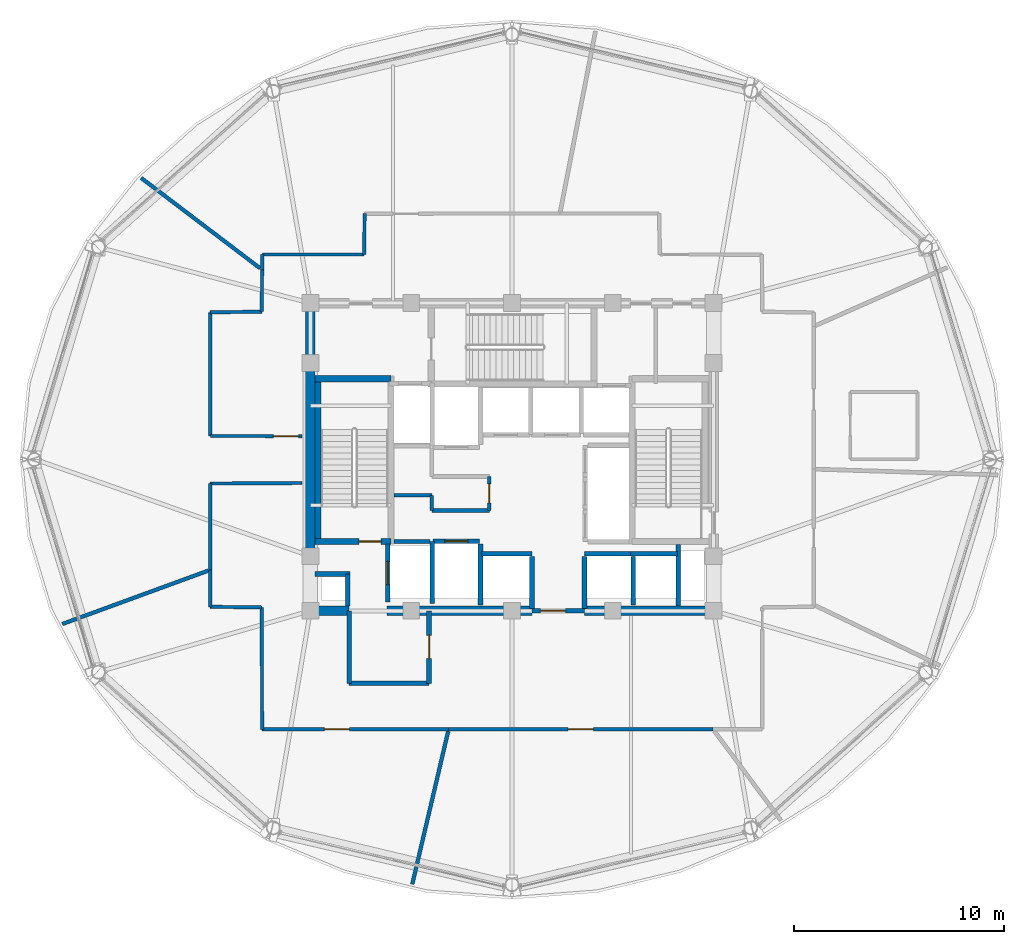
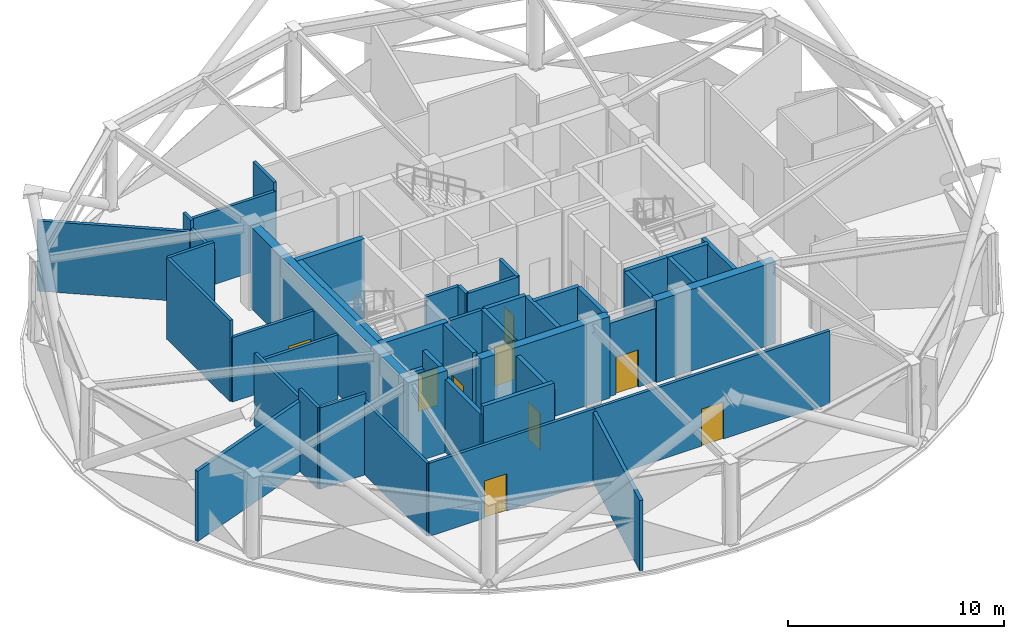
# One storey, part 10 of 16: 46 walls, 9 doors, 9 openings.
"""IFC4 building model written with IfcOpenShell, lengths in metres."""

import ifcopenshell
import ifcopenshell.guid

model = None  # the IFC model being written
_history = None  # IfcOwnerHistory: only IFC2X3 demands one
_inside = {}  # id of a spatial element -> (the spatial element, [elements in it])
_under = {}  # id of a project, library or spatial element -> (it, [spatial elements below it])
_declared = {}  # id of a project -> (the project, [libraries it declares])
_typed = {}  # id of a type object -> (the type object, [elements of that type])
_made_of = {}  # id of a material, layer set ... -> (it, [elements and type objects made of it])


def new_model(schema):
    """Start an empty IFC model of exactly this schema.

    Asked for "IFC4X3", IfcOpenShell would pick the latest addendum, in which some entities
    have other attributes; the version numbers below select the first issue.
    IFC2X3 requires an IfcOwnerHistory on every rooted entity: one is made here for all.
    """
    global model, _history
    if schema == "IFC4X3":
        model = ifcopenshell.file(schema_version=(4, 3, 0, 0))
    else:
        model = ifcopenshell.file(schema=schema)
    _inside.clear()
    _under.clear()
    _declared.clear()
    _typed.clear()
    _made_of.clear()
    _history = None
    if model.schema == "IFC2X3":
        org = make("IfcOrganization", Name="unknown")
        user = make(
            "IfcPersonAndOrganization",
            ThePerson=make("IfcPerson", FamilyName="unknown"),
            TheOrganization=org,
        )
        app = make(
            "IfcApplication",
            ApplicationDeveloper=org,
            Version="unknown",
            ApplicationFullName="unknown",
            ApplicationIdentifier="unknown",
        )
        _history = make(
            "IfcOwnerHistory",
            OwningUser=user,
            OwningApplication=app,
            ChangeAction="ADDED",
            CreationDate=0,
        )
    return model


def make(cls, **values):
    """One entity of the class cls with the attributes given. An attribute that is None is left unset."""
    return model.create_entity(
        cls, **{name: value for name, value in values.items() if value is not None}
    )


def rooted(cls, **values):
    """An entity with a GlobalId (a new one), such as an element, a storey or a relation."""
    return make(cls, GlobalId=ifcopenshell.guid.new(), OwnerHistory=_history, **values)


def si_unit(unit_type, name, prefix=None):
    """IfcSIUnit, for example si_unit("LENGTHUNIT", "METRE", prefix="MILLI")."""
    return make("IfcSIUnit", UnitType=unit_type, Prefix=prefix, Name=name)


def assignment(units):
    """IfcUnitAssignment: the units of a project."""
    return None if units is None else make("IfcUnitAssignment", Units=units)


def point(xyz):
    """IfcCartesianPoint."""
    return None if xyz is None else make("IfcCartesianPoint", Coordinates=xyz)


def direction(xyz):
    """IfcDirection."""
    return None if xyz is None else make("IfcDirection", DirectionRatios=xyz)


def frame(location, z_axis=None, x_axis=None):
    """IfcAxis2Placement3D, a coordinate frame: its origin and axes. An axis left out is left unset."""
    return make(
        "IfcAxis2Placement3D",
        Location=point(location),
        Axis=direction(z_axis),
        RefDirection=direction(x_axis),
    )


def frame_2d(location, x_axis=None):
    """IfcAxis2Placement2D, a coordinate frame in the plane: its origin and x axis."""
    return make(
        "IfcAxis2Placement2D", Location=point(location), RefDirection=direction(x_axis)
    )


def origin():
    """The frame at (0, 0, 0) with its axes left unset."""
    return frame((0.0, 0.0, 0.0))


def place(relative_to, where):
    """IfcLocalPlacement: puts the frame where relative to a parent placement (None: the world)."""
    return make(
        "IfcLocalPlacement", PlacementRelTo=relative_to, RelativePlacement=where
    )


def context(
    kind, dimensions, precision=None, world=None, true_north=None, identifier=None
):
    """IfcGeometricRepresentationContext, for example the 3D "Model" context."""
    return make(
        "IfcGeometricRepresentationContext",
        ContextIdentifier=identifier,
        ContextType=kind,
        CoordinateSpaceDimension=dimensions,
        Precision=precision,
        WorldCoordinateSystem=world,
        TrueNorth=true_north,
    )


def subcontext(parent, identifier, kind, view, scale=None):
    """IfcGeometricRepresentationSubContext, for example "Body" below "Model"."""
    return make(
        "IfcGeometricRepresentationSubContext",
        ContextIdentifier=identifier,
        ContextType=kind,
        ParentContext=parent,
        TargetScale=scale,
        TargetView=view,
    )


def project(units=None, contexts=None):
    """IfcProject with its units and contexts."""
    return rooted(
        "IfcProject",
        Name="project",
        RepresentationContexts=contexts,
        UnitsInContext=assignment(units),
    )


def spatial(cls, under=None, at=None, **own):
    """A site, building, storey or space (cls), placed at a placement, below another one or the project."""
    s = rooted(cls, ObjectPlacement=at, **own)
    if under is not None:
        _under.setdefault(under.id(), (under, []))[1].append(s)
    return s


def profile(cls, at=None, kind="AREA", **sizes):
    """A parametric profile (cls). Its sizes go by their IFC names, for example OverallWidth=200.0."""
    return make(cls, ProfileType=kind, Position=at, **sizes)


def rectangle(**sizes):
    """IfcRectangleProfileDef."""
    return profile("IfcRectangleProfileDef", **sizes)


def extrude(swept, where, along, depth):
    """IfcExtrudedAreaSolid: the profile swept, set in the frame where, extruded along a direction by depth."""
    return make(
        "IfcExtrudedAreaSolid",
        SweptArea=swept,
        Position=where,
        ExtrudedDirection=direction(along),
        Depth=depth,
    )


def shape(context_of_items, identifier, shape_type, items):
    """IfcShapeRepresentation: the items that make up one representation, for example the "Body"."""
    return make(
        "IfcShapeRepresentation",
        ContextOfItems=context_of_items,
        RepresentationIdentifier=identifier,
        RepresentationType=shape_type,
        Items=items,
    )


def material(Name=None, Category=None):
    """IfcMaterial."""
    return make("IfcMaterial", Name=Name, Category=Category)


def layer(
    of_material, thickness, ventilated=None, Name=None, Category=None, Priority=None
):
    """IfcMaterialLayer: one layer of a wall or slab, of a material (None: an air gap)."""
    return make(
        "IfcMaterialLayer",
        Material=of_material,
        LayerThickness=thickness,
        IsVentilated=ventilated,
        Name=Name,
        Category=Category,
        Priority=Priority,
    )


def layer_set(layers, Name=None):
    """IfcMaterialLayerSet."""
    return make("IfcMaterialLayerSet", MaterialLayers=layers, LayerSetName=Name)


def made_of(thing, what):
    """Note that an element or type object is made of a material, layer set ...; save() writes the relation."""
    if what is not None:
        _made_of.setdefault(what.id(), (what, []))[1].append(thing)
    return thing


def type_object(cls, material=None, **own):
    """A type object (cls), such as IfcWallType, which elements share."""
    return made_of(rooted(cls, **own), material)


def element(
    cls,
    number,
    at=None,
    inside=None,
    cuts=None,
    type_object=None,
    material=None,
    context=None,
    identifier="Body",
    shape_type=None,
    held_by="IfcProductDefinitionShape",
    body=None,
    shapes=None,
    **own,
):
    """One element of the class cls, such as IfcWall. Its Tag is "e" and its number.

    at: its placement. inside: the storey or other place that contains it. cuts: it is an
    opening in that element (IfcRelVoidsElement). A single representation is given by context,
    identifier, shape_type and body (its items); several are given by shapes. held_by: the class
    of the entity that holds the representations. save() writes the other relations.
    """
    e = rooted(cls, Tag="e%d" % number, ObjectPlacement=at, **own)
    if body is not None:
        shapes = [shape(context, identifier, shape_type, body)]
    if shapes is not None:
        e.Representation = make(held_by, Representations=shapes)
    if inside is not None:
        _inside.setdefault(inside.id(), (inside, []))[1].append(e)
    if cuts is not None:
        rooted(
            "IfcRelVoidsElement", RelatingBuildingElement=cuts, RelatedOpeningElement=e
        )
    if type_object is not None:
        _typed.setdefault(type_object.id(), (type_object, []))[1].append(e)
    return made_of(e, material)


def fill(opening, filler):
    """IfcRelFillsElement: the door or window that sits in an opening."""
    return rooted(
        "IfcRelFillsElement",
        RelatingOpeningElement=opening,
        RelatedBuildingElement=filler,
    )


def aggregate(whole, parts):
    """IfcRelAggregates: a whole, such as a stair, and the parts it consists of."""
    return rooted("IfcRelAggregates", RelatingObject=whole, RelatedObjects=parts)


def save(model, path):
    """Write the relations noted so far, then the file.

    IfcRelAggregates (storeys below a building ...), IfcRelContainedInSpatialStructure (elements
    in a storey), IfcRelDefinesByType, IfcRelAssociatesMaterial and IfcRelDeclares: one each for
    every whole, place, type object, material and project.
    """
    for whole, parts in _under.values():
        aggregate(whole, parts)
    for where, things in _inside.values():
        rooted(
            "IfcRelContainedInSpatialStructure",
            RelatedElements=things,
            RelatingStructure=where,
        )
    for kind, things in _typed.values():
        rooted("IfcRelDefinesByType", RelatedObjects=things, RelatingType=kind)
    for what, things in _made_of.values():
        rooted("IfcRelAssociatesMaterial", RelatedObjects=things, RelatingMaterial=what)
    for by, libraries in _declared.values():
        rooted("IfcRelDeclares", RelatingContext=by, RelatedDefinitions=libraries)
    model.write(path)


model = new_model("IFC4")

# Units and contexts
model_context = context("Model", 3, precision=1e-05, world=origin(), true_north=direction((0.0, 1.0)))
body_context = subcontext(model_context, "Body", "Model", "MODEL_VIEW")
ifc_project = project(units=[si_unit("LENGTHUNIT", "METRE"), si_unit("AREAUNIT", "SQUARE_METRE"), si_unit("VOLUMEUNIT", "CUBIC_METRE"), si_unit("PLANEANGLEUNIT", "RADIAN"), si_unit("MASSUNIT", "GRAM", prefix="KILO")], contexts=[model_context])

# Site, building, storey
site_placement = place(None, origin())
site = spatial("IfcSite", under=ifc_project, at=site_placement, CompositionType="ELEMENT")
building_placement = place(site_placement, origin())
building = spatial("IfcBuilding", under=site, at=building_placement, Name="Vantalir Tower", CompositionType="ELEMENT")
storey_placement = place(building_placement, frame((0.0, 0.0, 181.35009765625)))
storey = spatial("IfcBuildingStorey", under=building, at=storey_placement, Name="L45", CompositionType="ELEMENT", Elevation=181.35009765625)

# Walls
ifc_material_1 = material(Name="Concrete C50/60", Category="concrete")
ifc_layer_1 = layer(ifc_material_1, 0.449951171875)
ifc_layer_set_1 = layer_set([ifc_layer_1], Name="Concrete C50/60")
wall_type_1 = type_object("IfcWallType", Name="WL-CORE-450", PredefinedType="SHEAR", material=ifc_layer_set_1)
wall_1_placement = place(storey_placement, frame((21.675048828125, 17.800048828125, 0.0), z_axis=(0.0, 0.0, 1.0), x_axis=(1.0, 0.0, 0.0)))
element("IfcWall", 1, at=wall_1_placement, inside=storey, type_object=wall_type_1, Name="L45 Core Shear Wall South-West", PredefinedType="SHEAR", context=body_context, shape_type="SweptSolid", body=[
    extrude(rectangle(XDim=2.074951171875, YDim=0.449951171875, at=frame_2d((1.03759765625, 0.0))), origin(), (0.0, 0.0, 1.0), 4.619873046875),
])
wall_2_placement = place(storey_placement, frame((25.550048828125, 17.800048828125, 0.0), z_axis=(0.0, 0.0, 1.0), x_axis=(1.0, 0.0, 0.0)))
element("IfcWall", 2, at=wall_2_placement, inside=storey, type_object=wall_type_1, Name="L45 Core Shear Wall South-Mid", PredefinedType="SHEAR", context=body_context, shape_type="SweptSolid", body=[
    extrude(rectangle(XDim=6.89990234375, YDim=0.449951171875, at=frame_2d((3.449951171875, 0.0))), origin(), (0.0, 0.0, 1.0), 4.619873046875),
])
wall_3_placement = place(storey_placement, frame((34.949951171875, 17.800048828125, 0.0), z_axis=(0.0, 0.0, 1.0), x_axis=(1.0, 0.0, 0.0)))
element("IfcWall", 3, at=wall_3_placement, inside=storey, type_object=wall_type_1, Name="L45 Core Shear Wall South-East", PredefinedType="SHEAR", context=body_context, shape_type="SweptSolid", body=[
    extrude(rectangle(XDim=6.375, YDim=0.449951171875, at=frame_2d((3.1875, 0.0))), origin(), (0.0, 0.0, 1.0), 4.619873046875),
])
wall_4_placement = place(storey_placement, frame((21.89990234375, 18.02490234375, 0.0), z_axis=(0.0, 0.0, 1.0), x_axis=(0.0, 1.0, 0.0)))
element("IfcWall", 4, at=wall_4_placement, inside=storey, type_object=wall_type_1, Name="L45 Core Shear Wall West", PredefinedType="SHEAR", context=body_context, shape_type="SweptSolid", body=[
    extrude(rectangle(XDim=14.2001953125, YDim=0.449951171875, at=frame_2d((7.10009765625, 0.0))), origin(), (0.0, 0.0, 1.0), 4.619873046875),
])

# Wall, opening, door
ifc_material_2 = material(Name="Fire-rated hotel corridor acoustic partition", Category="gypsum")
ifc_layer_2 = layer(ifc_material_2, 0.159912109375)
ifc_layer_set_2 = layer_set([ifc_layer_2], Name="Fire-rated hotel corridor acoustic partition")
wall_type_2 = type_object("IfcWallType", Name="WL-CORR-160", PredefinedType="PARTITIONING", material=ifc_layer_set_2)
wall_5_placement = place(storey_placement, frame((21.4951171875, 26.114990234375, 0.0), z_axis=(0.0, 0.0, 1.0), x_axis=(-0.999997365931, 0.002295241113, 0.0)))
wall_5 = element("IfcWall", 5, at=wall_5_placement, inside=storey, type_object=wall_type_2, Name="L45 Corridor Partition 01", PredefinedType="PARTITIONING", context=body_context, shape_type="SweptSolid", body=[
    extrude(rectangle(XDim=4.361083984375, YDim=0.159912109375, at=frame_2d((2.1806640625, 0.0))), origin(), (0.0, 0.0, 1.0), 3.64501953125),
])
opening_1_placement = place(wall_5_placement, frame((0.159912109375, 0.0, 0.0)))
opening_1 = element("IfcOpeningElement", 6, at=opening_1_placement, cuts=wall_5, Name="Opening D-STE", PredefinedType="OPENING", context=body_context, shape_type="SweptSolid", body=[
    extrude(rectangle(XDim=1.199951171875, YDim=2.10009765625, at=frame_2d((0.60009765625, 1.050048828125))), frame((0.0, 0.08984375, 0.0), z_axis=(0.0, -1.0, 0.0), x_axis=(1.0, 0.0, 0.0)), (0.0, 0.0, 1.0), 0.179931640625),
])
ifc_material_3 = material(Name="Solid-core teak veneer suite entrance door", Category="wood")
door_type_1 = type_object("IfcDoorType", Name="DR-SUITE-ENTRY-1200", OperationType="NOTDEFINED", PredefinedType="DOOR", material=ifc_material_3)
door_1_placement = place(opening_1_placement, origin())
door_1 = element("IfcDoor", 7, at=door_1_placement, inside=storey, type_object=door_type_1, Name="L45 Commercial Sky Pantry Kitchen Door", OperationType="SINGLE_SWING_RIGHT", OverallHeight=2.10009765625, OverallWidth=1.199951171875, PredefinedType="DOOR", context=body_context, shape_type="SweptSolid", body=[
    extrude(rectangle(XDim=1.199951171875, YDim=2.10009765625, at=frame_2d((0.60009765625, 1.050048828125))), frame((0.0, 0.02490234375, 0.0), z_axis=(0.0, -1.0, 0.0), x_axis=(1.0, 0.0, 0.0)), (0.0, 0.0, 1.0), 0.050048828125),
])
fill(opening_1, door_1)

# Walls
wall_6_placement = place(storey_placement, frame((17.134033203125, 26.125, 0.0), z_axis=(0.0, 0.0, 1.0), x_axis=(-0.001202669889, 0.999999276792, 0.0)))
element("IfcWall", 8, at=wall_6_placement, inside=storey, type_object=wall_type_2, Name="L45 Corridor Partition 02", PredefinedType="PARTITIONING", context=body_context, shape_type="SweptSolid", body=[
    extrude(rectangle(XDim=5.886962890625, YDim=0.159912109375, at=frame_2d((2.943359375, 0.0))), origin(), (0.0, 0.0, 1.0), 4.599853515625),
])
wall_7_placement = place(storey_placement, frame((17.126953125, 32.011962890625, 0.0), z_axis=(0.0, 0.0, 1.0), x_axis=(0.999934771592, 0.011421583108, 0.0)))
element("IfcWall", 9, at=wall_7_placement, inside=storey, type_object=wall_type_2, Name="L45 Corridor Partition 03", PredefinedType="PARTITIONING", context=body_context, shape_type="SweptSolid", body=[
    extrude(rectangle(XDim=2.458251953125, YDim=0.159912109375, at=frame_2d((1.22900390625, 0.0))), origin(), (0.0, 0.0, 1.0), 4.599853515625),
])
wall_8_placement = place(storey_placement, frame((19.5849609375, 32.0400390625, 0.0), z_axis=(0.0, 0.0, 1.0), x_axis=(0.009056047668, 0.99995899316, 0.0)))
element("IfcWall", 10, at=wall_8_placement, inside=storey, type_object=wall_type_2, Name="L45 Corridor Partition 04", PredefinedType="PARTITIONING", context=body_context, shape_type="SweptSolid", body=[
    extrude(rectangle(XDim=1.994873046875, YDim=0.159912109375, at=frame_2d((0.99755859375, 0.0))), origin(), (0.0, 0.0, 1.0), 4.130859375),
])
wall_9_placement = place(storey_placement, frame((19.60302734375, 34.034912109375, 0.0), z_axis=(0.0, 0.0, 1.0), x_axis=(0.009737617549, 0.999952588278, 0.0)))
element("IfcWall", 11, at=wall_9_placement, inside=storey, type_object=wall_type_2, Name="L45 Corridor Partition 05", PredefinedType="PARTITIONING", context=body_context, shape_type="SweptSolid", body=[
    extrude(rectangle(XDim=0.72705078125, YDim=0.159912109375, at=frame_2d((0.363525390625, 0.0))), origin(), (0.0, 0.0, 1.0), 4.599853515625),
])
wall_10_placement = place(storey_placement, frame((19.610107421875, 34.761962890625, 0.0), z_axis=(0.0, 0.0, 1.0), x_axis=(0.999999817545, 0.000604077413, 0.0)))
element("IfcWall", 12, at=wall_10_placement, inside=storey, type_object=wall_type_2, Name="L45 Corridor Partition 06", PredefinedType="PARTITIONING", context=body_context, shape_type="SweptSolid", body=[
    extrude(rectangle(XDim=4.849853515625, YDim=0.159912109375, at=frame_2d((2.4248046875, 0.0))), origin(), (0.0, 0.0, 1.0), 4.130859375),
])
wall_11_placement = place(storey_placement, frame((24.4599609375, 34.764892578125, 0.0), z_axis=(0.0, 0.0, 1.0), x_axis=(0.012914283453, 0.999916607164, 0.0)))
element("IfcWall", 13, at=wall_11_placement, inside=storey, type_object=wall_type_2, Name="L45 Corridor Partition 07", PredefinedType="PARTITIONING", context=body_context, shape_type="SweptSolid", body=[
    extrude(rectangle(XDim=1.947265625, YDim=0.159912109375, at=frame_2d((0.9736328125, 0.0))), origin(), (0.0, 0.0, 1.0), 4.599853515625),
])

# Wall, opening, door
wall_12_placement = place(storey_placement, frame((41.06396484375, 12.1669921875, 0.0), z_axis=(0.0, 0.0, 1.0), x_axis=(-0.999999882281, -0.000485220136, 0.0)))
wall_12 = element("IfcWall", 14, at=wall_12_placement, inside=storey, type_object=wall_type_2, Name="L45 Corridor Partition 20", PredefinedType="PARTITIONING", context=body_context, shape_type="SweptSolid", body=[
    extrude(rectangle(XDim=12.578857421875, YDim=0.159912109375, at=frame_2d((6.28955078125, 0.0))), origin(), (0.0, 0.0, 1.0), 4.130859375),
])
opening_2_placement = place(wall_12_placement, frame((5.68994140625, 0.0, 0.0)))
opening_2 = element("IfcOpeningElement", 15, at=opening_2_placement, cuts=wall_12, Name="Opening D-STE", PredefinedType="OPENING", context=body_context, shape_type="SweptSolid", body=[
    extrude(rectangle(XDim=1.199951171875, YDim=2.10009765625, at=frame_2d((0.60009765625, 1.050048828125))), frame((0.0, 0.08984375, 0.0), z_axis=(0.0, -1.0, 0.0), x_axis=(1.0, 0.0, 0.0)), (0.0, 0.0, 1.0), 0.179931640625),
])
door_2_placement = place(opening_2_placement, origin())
door_2 = element("IfcDoor", 16, at=door_2_placement, inside=storey, type_object=door_type_1, Name="L45 Executive Sky Boardroom Door", OperationType="SINGLE_SWING_RIGHT", OverallHeight=2.10009765625, OverallWidth=1.199951171875, PredefinedType="DOOR", context=body_context, shape_type="SweptSolid", body=[
    extrude(rectangle(XDim=1.199951171875, YDim=2.10009765625, at=frame_2d((0.60009765625, 1.050048828125))), frame((0.0, 0.02490234375, 0.0), z_axis=(0.0, -1.0, 0.0), x_axis=(1.0, 0.0, 0.0)), (0.0, 0.0, 1.0), 0.050048828125),
])
fill(opening_2, door_2)

wall_13_placement = place(storey_placement, frame((28.485107421875, 12.160888671875, 0.0), z_axis=(0.0, 0.0, 1.0), x_axis=(-0.999999903292, -0.000439789958, 0.0)))
wall_13 = element("IfcWall", 17, at=wall_13_placement, inside=storey, type_object=wall_type_2, Name="L45 Corridor Partition 21", PredefinedType="PARTITIONING", context=body_context, shape_type="SweptSolid", body=[
    extrude(rectangle(XDim=8.882080078125, YDim=0.159912109375, at=frame_2d((4.44091796875, 0.0))), origin(), (0.0, 0.0, 1.0), 4.130859375),
])
opening_3_placement = place(wall_13_placement, frame((4.72412109375, 0.0, 0.0)))
opening_3 = element("IfcOpeningElement", 18, at=opening_3_placement, cuts=wall_13, Name="Opening D-STE", PredefinedType="OPENING", context=body_context, shape_type="SweptSolid", body=[
    extrude(rectangle(XDim=1.199951171875, YDim=2.10009765625, at=frame_2d((0.60009765625, 1.050048828125))), frame((0.0, 0.08984375, 0.0), z_axis=(0.0, -1.0, 0.0), x_axis=(1.0, 0.0, 0.0)), (0.0, 0.0, 1.0), 0.179931640625),
])
door_3_placement = place(opening_3_placement, origin())
door_3 = element("IfcDoor", 19, at=door_3_placement, inside=storey, type_object=door_type_1, Name="L45 Hotel Executive Administration Office Door", OperationType="SINGLE_SWING_LEFT", OverallHeight=2.10009765625, OverallWidth=1.199951171875, PredefinedType="DOOR", context=body_context, shape_type="SweptSolid", body=[
    extrude(rectangle(XDim=1.199951171875, YDim=2.10009765625, at=frame_2d((0.60009765625, 1.050048828125))), frame((0.0, 0.02490234375, 0.0), z_axis=(0.0, -1.0, 0.0), x_axis=(1.0, 0.0, 0.0)), (0.0, 0.0, 1.0), 0.050048828125),
])
fill(opening_3, door_3)

# Walls
wall_14_placement = place(storey_placement, frame((19.60302734375, 12.156982421875, 0.0), z_axis=(0.0, 0.0, 1.0), x_axis=(-0.003113283747, 0.99999515372, 0.0)))
element("IfcWall", 20, at=wall_14_placement, inside=storey, type_object=wall_type_2, Name="L45 Corridor Partition 22", PredefinedType="PARTITIONING", context=body_context, shape_type="SweptSolid", body=[
    extrude(rectangle(XDim=5.802978515625, YDim=0.159912109375, at=frame_2d((2.9013671875, 0.0))), origin(), (0.0, 0.0, 1.0), 4.130859375),
])
wall_15_placement = place(storey_placement, frame((19.5849609375, 17.9599609375, 0.0), z_axis=(0.0, 0.0, 1.0), x_axis=(-0.999915428104, 0.013005254277, 0.0)))
element("IfcWall", 21, at=wall_15_placement, inside=storey, type_object=wall_type_2, Name="L45 Corridor Partition 23", PredefinedType="PARTITIONING", context=body_context, shape_type="SweptSolid", body=[
    extrude(rectangle(XDim=2.459228515625, YDim=0.159912109375, at=frame_2d((1.2294921875, 0.0))), origin(), (0.0, 0.0, 1.0), 4.599853515625),
])
wall_16_placement = place(storey_placement, frame((17.1259765625, 17.991943359375, 0.0), z_axis=(0.0, 0.0, 1.0), x_axis=(0.0, 1.0, 0.0)))
element("IfcWall", 22, at=wall_16_placement, inside=storey, type_object=wall_type_2, Name="L45 Corridor Partition 24", PredefinedType="PARTITIONING", context=body_context, shape_type="SweptSolid", body=[
    extrude(rectangle(XDim=1.751953125, YDim=0.159912109375, at=frame_2d((0.8759765625, 0.0))), origin(), (0.0, 0.0, 1.0), 4.599853515625),
])
wall_17_placement = place(storey_placement, frame((17.1259765625, 19.743896484375, 0.0), z_axis=(0.0, 0.0, 1.0), x_axis=(0.0, 1.0, 0.0)))
element("IfcWall", 23, at=wall_17_placement, inside=storey, type_object=wall_type_2, Name="L45 Corridor Partition 25", PredefinedType="PARTITIONING", context=body_context, shape_type="SweptSolid", body=[
    extrude(rectangle(XDim=4.114013671875, YDim=0.159912109375, at=frame_2d((2.05712890625, 0.0))), origin(), (0.0, 0.0, 1.0), 4.130859375),
])
wall_18_placement = place(storey_placement, frame((17.1259765625, 23.85791015625, 0.0), z_axis=(0.0, 0.0, 1.0), x_axis=(0.99998212632, 0.005978882852, 0.0)))
element("IfcWall", 24, at=wall_18_placement, inside=storey, type_object=wall_type_2, Name="L45 Corridor Partition 26", PredefinedType="PARTITIONING", context=body_context, shape_type="SweptSolid", body=[
    extrude(rectangle(XDim=4.369140625, YDim=0.159912109375, at=frame_2d((2.1845703125, 0.0))), origin(), (0.0, 0.0, 1.0), 3.64501953125),
])
ifc_material_4 = material(Name="Concrete blockwork with fireboard lining", Category="masonry")
ifc_layer_3 = layer(ifc_material_4, 0.219970703125)
ifc_layer_set_3 = layer_set([ifc_layer_3], Name="Concrete blockwork with fireboard lining")
wall_type_3 = type_object("IfcWallType", Name="WL-FFL-220", PredefinedType="PARTITIONING", material=ifc_layer_set_3)
wall_19_placement = place(storey_placement, frame((30.0, 18.080078125, 0.0), z_axis=(0.0, 0.0, 1.0), x_axis=(0.0, 1.0, 0.0)))
element("IfcWall", 25, at=wall_19_placement, inside=storey, type_object=wall_type_3, Name="L45 Service Lift SV1 East Shaft Wall", PredefinedType="PARTITIONING", context=body_context, shape_type="SweptSolid", body=[
    extrude(rectangle(XDim=2.89990234375, YDim=0.219970703125, at=frame_2d((1.449951171875, 0.0))), origin(), (0.0, 0.0, 1.0), 4.594970703125),
])
for number, where, z_axis, x_axis, name in (
    (26, (32.449951171875, 17.919921875, 0.0), (0.0, 0.0, 1.0), (0.0, 1.0, 0.0), "L45 Shuttle Lift PL-X1 East Shaft Cheek"),
    (27, (34.949951171875, 17.919921875, 0.0), (0.0, 0.0, 1.0), (0.0, 1.0, 0.0), "L45 Shuttle Lift PL-X3 West Shaft Cheek"),
):
    element("IfcWall", number, at=place(storey_placement, frame(where, z_axis=z_axis, x_axis=x_axis)), inside=storey, type_object=wall_type_3, Name=name, PredefinedType="PARTITIONING", context=body_context, shape_type="SweptSolid", body=[
        extrude(rectangle(XDim=2.469970703125, YDim=0.219970703125, at=frame_2d((1.23486328125, 0.0))), origin(), (0.0, 0.0, 1.0), 4.594970703125),
    ])
wall_20_placement = place(storey_placement, frame((37.27490234375, 18.080078125, 0.0), z_axis=(0.0, 0.0, 1.0), x_axis=(0.0, 1.0, 0.0)))
element("IfcWall", 28, at=wall_20_placement, inside=storey, type_object=wall_type_3, Name="L45 Shuttle Lift PL-X2/X3 Shaft Divider", PredefinedType="PARTITIONING", context=body_context, shape_type="SweptSolid", body=[
    extrude(rectangle(XDim=2.309814453125, YDim=0.219970703125, at=frame_2d((1.15478515625, 0.0))), origin(), (0.0, 0.0, 1.0), 4.594970703125),
])

# Wall, opening, door
wall_21_placement = place(storey_placement, frame((32.449951171875, 17.800048828125, 0.0), z_axis=(0.0, 0.0, 1.0), x_axis=(1.0, 0.0, 0.0)))
wall_21 = element("IfcWall", 29, at=wall_21_placement, inside=storey, type_object=wall_type_3, Name="L45 Passenger Lift Lobby South Wall", PredefinedType="PARTITIONING", context=body_context, shape_type="SweptSolid", body=[
    extrude(rectangle(XDim=2.5, YDim=0.219970703125, at=frame_2d((1.25, 0.0))), origin(), (0.0, 0.0, 1.0), 4.130859375),
])
opening_4_placement = place(wall_21_placement, frame((0.39990234375, 0.0, 0.0)))
opening_4 = element("IfcOpeningElement", 30, at=opening_4_placement, cuts=wall_21, Name="Opening D-STE", PredefinedType="OPENING", context=body_context, shape_type="SweptSolid", body=[
    extrude(rectangle(XDim=1.199951171875, YDim=2.10009765625, at=frame_2d((0.60009765625, 1.050048828125))), frame((0.0, 0.119873046875, 0.0), z_axis=(0.0, -1.0, 0.0), x_axis=(1.0, 0.0, 0.0)), (0.0, 0.0, 1.0), 0.239990234375),
])
door_4_placement = place(opening_4_placement, origin())
door_4 = element("IfcDoor", 31, at=door_4_placement, inside=storey, type_object=door_type_1, Name="L45 Passenger Lift Lobby Concourse Door", OperationType="SINGLE_SWING_RIGHT", OverallHeight=2.10009765625, OverallWidth=1.199951171875, PredefinedType="DOOR", context=body_context, shape_type="SweptSolid", body=[
    extrude(rectangle(XDim=1.199951171875, YDim=2.10009765625, at=frame_2d((0.60009765625, 1.050048828125))), frame((0.0, 0.02490234375, 0.0), z_axis=(0.0, -1.0, 0.0), x_axis=(1.0, 0.0, 0.0)), (0.0, 0.0, 1.0), 0.050048828125),
])
fill(opening_4, door_4)

# Walls
wall_22_placement = place(storey_placement, frame((23.679931640625, 18.02490234375, 0.0), z_axis=(0.0, 0.0, 1.0), x_axis=(0.0, 1.0, 0.0)))
element("IfcWall", 32, at=wall_22_placement, inside=storey, type_object=wall_type_3, Name="L45 West MEP Riser Wall E", PredefinedType="PARTITIONING", context=body_context, shape_type="SweptSolid", body=[
    extrude(rectangle(XDim=1.525146484375, YDim=0.219970703125, at=frame_2d((0.7626953125, 0.0))), origin(), (0.0, 0.0, 1.0), 4.599853515625),
])
wall_23_placement = place(storey_placement, frame((22.125, 19.550048828125, 0.0), z_axis=(0.0, 0.0, 1.0), x_axis=(1.0, 0.0, 0.0)))
element("IfcWall", 33, at=wall_23_placement, inside=storey, type_object=wall_type_3, Name="L45 West MEP Riser Wall N", PredefinedType="PARTITIONING", context=body_context, shape_type="SweptSolid", body=[
    extrude(rectangle(XDim=1.6650390625, YDim=0.219970703125, at=frame_2d((0.83251953125, 0.0))), origin(), (0.0, 0.0, 1.0), 3.64501953125),
])
wall_24_placement = place(storey_placement, frame((39.419921875, 18.02490234375, 0.0), z_axis=(0.0, 0.0, 1.0), x_axis=(0.0, 1.0, 0.0)))
element("IfcWall", 34, at=wall_24_placement, inside=storey, type_object=wall_type_3, Name="L45 East MEP Riser Wall W", PredefinedType="PARTITIONING", context=body_context, shape_type="SweptSolid", body=[
    extrude(rectangle(XDim=2.925048828125, YDim=0.219970703125, at=frame_2d((1.46240234375, 0.0))), origin(), (0.0, 0.0, 1.0), 4.599853515625),
])

# Wall, opening, door
wall_25_placement = place(storey_placement, frame((25.590087890625, 18.219970703125, 0.0), z_axis=(0.0, 0.0, 1.0), x_axis=(0.0, 1.0, 0.0)))
wall_25 = element("IfcWall", 35, at=wall_25_placement, inside=storey, type_object=wall_type_3, Name="L45 Lift FL1 Shaft Front Wall", PredefinedType="PARTITIONING", context=body_context, shape_type="SweptSolid", body=[
    extrude(rectangle(XDim=2.760009765625, YDim=0.219970703125, at=frame_2d((1.3798828125, 0.0))), origin(), (0.0, 0.0, 1.0), 4.599853515625),
])
opening_5_placement = place(wall_25_placement, frame((0.830078125, 0.0, 0.0)))
opening_5 = element("IfcOpeningElement", 36, at=opening_5_placement, cuts=wall_25, Name="Opening LD-FL1", PredefinedType="OPENING", context=body_context, shape_type="SweptSolid", body=[
    extrude(rectangle(XDim=1.10009765625, YDim=2.199951171875, at=frame_2d((0.550048828125, 1.10009765625))), frame((0.0, 0.119873046875, 0.0), z_axis=(0.0, -1.0, 0.0), x_axis=(1.0, 0.0, 0.0)), (0.0, 0.0, 1.0), 0.239990234375),
])
ifc_material_5 = material(Name="Brushed stainless-steel sliding lift landing door", Category="steel")
door_type_2 = type_object("IfcDoorType", Name="DR-LIFT-LANDING-1100", OperationType="DOUBLE_DOOR_SLIDING", PredefinedType="DOOR", material=ifc_material_5)
door_5_placement = place(opening_5_placement, origin())
door_5 = element("IfcDoor", 37, at=door_5_placement, inside=storey, type_object=door_type_2, Name="L45 Lift Landing Door FL1", OperationType="DOUBLE_DOOR_SLIDING", OverallHeight=2.199951171875, OverallWidth=1.10009765625, PredefinedType="DOOR", context=body_context, shape_type="SweptSolid", body=[
    extrude(rectangle(XDim=1.10009765625, YDim=2.199951171875, at=frame_2d((0.550048828125, 1.10009765625))), frame((0.0, 0.02490234375, 0.0), z_axis=(0.0, -1.0, 0.0), x_axis=(1.0, 0.0, 0.0)), (0.0, 0.0, 1.0), 0.050048828125),
])
fill(opening_5, door_5)

wall_26_placement = place(storey_placement, frame((27.739990234375, 21.110107421875, 0.0), z_axis=(0.0, 0.0, 1.0), x_axis=(1.0, 0.0, 0.0)))
wall_26 = element("IfcWall", 38, at=wall_26_placement, inside=storey, type_object=wall_type_3, Name="L45 Lift SV1 Shaft Front Wall", PredefinedType="PARTITIONING", context=body_context, shape_type="SweptSolid", body=[
    extrude(rectangle(XDim=2.219970703125, YDim=0.219970703125, at=frame_2d((1.10986328125, 0.0))), origin(), (0.0, 0.0, 1.0), 4.599853515625),
])
opening_6_placement = place(wall_26_placement, frame((0.56005859375, 0.0, 0.0)))
opening_6 = element("IfcOpeningElement", 39, at=opening_6_placement, cuts=wall_26, Name="Opening LD-SV1", PredefinedType="OPENING", context=body_context, shape_type="SweptSolid", body=[
    extrude(rectangle(XDim=1.10009765625, YDim=2.199951171875, at=frame_2d((0.550048828125, 1.10009765625))), frame((0.0, 0.119873046875, 0.0), z_axis=(0.0, -1.0, 0.0), x_axis=(1.0, 0.0, 0.0)), (0.0, 0.0, 1.0), 0.239990234375),
])
door_6_placement = place(opening_6_placement, origin())
door_6 = element("IfcDoor", 40, at=door_6_placement, inside=storey, type_object=door_type_2, Name="L45 Lift Landing Door SV1", OperationType="DOUBLE_DOOR_SLIDING", OverallHeight=2.199951171875, OverallWidth=1.10009765625, PredefinedType="DOOR", context=body_context, shape_type="SweptSolid", body=[
    extrude(rectangle(XDim=1.10009765625, YDim=2.199951171875, at=frame_2d((0.550048828125, 1.10009765625))), frame((0.0, 0.02490234375, 0.0), z_axis=(0.0, -1.0, 0.0), x_axis=(1.0, 0.0, 0.0)), (0.0, 0.0, 1.0), 0.050048828125),
])
fill(opening_6, door_6)

# Walls
wall_27_placement = place(storey_placement, frame((30.0400390625, 20.510009765625, 0.0), z_axis=(0.0, 0.0, 1.0), x_axis=(1.0, 0.0, 0.0)))
element("IfcWall", 41, at=wall_27_placement, inside=storey, type_object=wall_type_3, Name="L45 Lift PL-X1 Shaft Front Wall", PredefinedType="PARTITIONING", context=body_context, shape_type="SweptSolid", body=[
    extrude(rectangle(XDim=2.419921875, YDim=0.219970703125, at=frame_2d((1.2099609375, 0.0))), origin(), (0.0, 0.0, 1.0), 4.599853515625),
])
for number, where, z_axis, x_axis, name in (
    (42, (37.139892578125, 20.510009765625, 0.0), (0.0, 0.0, 1.0), (1.0, 0.0, 0.0), "L45 Lift PL-X2 Shaft Rear Wall"),
    (43, (34.93994140625, 20.510009765625, 0.0), (0.0, 0.0, 1.0), (1.0, 0.0, 0.0), "L45 Lift PL-X3 Shaft Front Wall"),
):
    element("IfcWall", number, at=place(storey_placement, frame(where, z_axis=z_axis, x_axis=x_axis)), inside=storey, type_object=wall_type_3, Name=name, PredefinedType="PARTITIONING", context=body_context, shape_type="SweptSolid", body=[
        extrude(rectangle(XDim=2.239990234375, YDim=0.219970703125, at=frame_2d((1.1201171875, 0.0))), origin(), (0.0, 0.0, 1.0), 4.599853515625),
    ])
wall_28_placement = place(storey_placement, frame((27.699951171875, 18.14990234375, 0.0), z_axis=(0.0, 0.0, 1.0), x_axis=(0.0, 1.0, 0.0)))
element("IfcWall", 44, at=wall_28_placement, inside=storey, type_object=wall_type_3, Name="L45 Fire Lift FL1 Dividing Wall", PredefinedType="PARTITIONING", context=body_context, shape_type="SweptSolid", body=[
    extrude(rectangle(XDim=2.9501953125, YDim=0.219970703125, at=frame_2d((1.47509765625, 0.0))), origin(), (0.0, 0.0, 1.0), 4.599853515625),
])
wall_29_placement = place(storey_placement, frame((23.75, 14.35009765625, 0.0), z_axis=(0.0, 0.0, 1.0), x_axis=(0.0, 1.0, 0.0)))
element("IfcWall", 45, at=wall_29_placement, inside=storey, type_object=wall_type_3, Name="L45 Firefighting Lobby West Outer W", PredefinedType="PARTITIONING", context=body_context, shape_type="SweptSolid", body=[
    extrude(rectangle(XDim=3.449951171875, YDim=0.219970703125, at=frame_2d((1.72509765625, 0.0))), origin(), (0.0, 0.0, 1.0), 4.130859375),
])
wall_30_placement = place(storey_placement, frame((23.75, 14.35009765625, 0.0), z_axis=(0.0, 0.0, 1.0), x_axis=(1.0, 0.0, 0.0)))
element("IfcWall", 46, at=wall_30_placement, inside=storey, type_object=wall_type_3, Name="L45 Firefighting Lobby West South Wall", PredefinedType="PARTITIONING", context=body_context, shape_type="SweptSolid", body=[
    extrude(rectangle(XDim=3.800048828125, YDim=0.219970703125, at=frame_2d((1.89990234375, 0.0))), origin(), (0.0, 0.0, 1.0), 4.599853515625),
])

# Wall, opening, door
wall_31_placement = place(storey_placement, frame((27.550048828125, 14.35009765625, 0.0), z_axis=(0.0, 0.0, 1.0), x_axis=(0.0, 1.0, 0.0)))
wall_31 = element("IfcWall", 47, at=wall_31_placement, inside=storey, type_object=wall_type_3, Name="L45 Firefighting Lobby West East Wall", PredefinedType="PARTITIONING", context=body_context, shape_type="SweptSolid", body=[
    extrude(rectangle(XDim=3.449951171875, YDim=0.219970703125, at=frame_2d((1.72509765625, 0.0))), origin(), (0.0, 0.0, 1.0), 4.130859375),
])
opening_7_placement = place(wall_31_placement, frame((1.175048828125, 0.0, 0.0)))
opening_7 = element("IfcOpeningElement", 48, at=opening_7_placement, cuts=wall_31, Name="Opening D-FFL", PredefinedType="OPENING", context=body_context, shape_type="SweptSolid", body=[
    extrude(rectangle(XDim=1.10009765625, YDim=2.10009765625, at=frame_2d((0.550048828125, 1.050048828125))), frame((0.0, 0.119873046875, 0.0), z_axis=(0.0, -1.0, 0.0), x_axis=(1.0, 0.0, 0.0)), (0.0, 0.0, 1.0), 0.239990234375),
])
ifc_material_6 = material(Name="Fire-rated acoustic steel door", Category="steel")
door_type_3 = type_object("IfcDoorType", Name="DR-FIRE-LOBBY-1100", OperationType="NOTDEFINED", PredefinedType="DOOR", material=ifc_material_6)
door_7_placement = place(opening_7_placement, origin())
door_7 = element("IfcDoor", 49, at=door_7_placement, inside=storey, type_object=door_type_3, Name="L45 Firefighting Lobby West Access Door", OperationType="SINGLE_SWING_RIGHT", OverallHeight=2.10009765625, OverallWidth=1.10009765625, PredefinedType="DOOR", context=body_context, shape_type="SweptSolid", body=[
    extrude(rectangle(XDim=1.10009765625, YDim=2.10009765625, at=frame_2d((0.550048828125, 1.050048828125))), frame((0.0, 0.02490234375, 0.0), z_axis=(0.0, -1.0, 0.0), x_axis=(1.0, 0.0, 0.0)), (0.0, 0.0, 1.0), 0.050048828125),
])
fill(opening_7, door_7)

# Walls
ifc_material_7 = material(Name="Twin-stud acoustic fire-rated gypsum partition", Category="gypsum")
ifc_layer_4 = layer(ifc_material_7, 0.179931640625)
ifc_layer_set_4 = layer_set([ifc_layer_4], Name="Twin-stud acoustic fire-rated gypsum partition")
wall_type_4 = type_object("IfcWallType", Name="WL-GUEST-180", PredefinedType="PARTITIONING", material=ifc_layer_set_4)
wall_32_placement = place(storey_placement, frame((25.889892578125, 21.10009765625, 0.0), z_axis=(0.0, 0.0, 1.0), x_axis=(1.0, 0.0, 0.0)))
element("IfcWall", 50, at=wall_32_placement, inside=storey, type_object=wall_type_4, Name="L45 Freed West Core South Wall", PredefinedType="PARTITIONING", context=body_context, shape_type="SweptSolid", body=[
    extrude(rectangle(XDim=1.7001953125, YDim=0.179931640625, at=frame_2d((0.85009765625, 0.0))), origin(), (0.0, 0.0, 1.0), 4.599853515625),
])
wall_33_placement = place(storey_placement, frame((25.889892578125, 23.300048828125, 0.0), z_axis=(0.0, 0.0, 1.0), x_axis=(1.0, 0.0, 0.0)))
element("IfcWall", 51, at=wall_33_placement, inside=storey, type_object=wall_type_4, Name="L45 West Linen South-West Wall", PredefinedType="PARTITIONING", context=body_context, shape_type="SweptSolid", body=[
    extrude(rectangle(XDim=1.7900390625, YDim=0.179931640625, at=frame_2d((0.89501953125, 0.0))), origin(), (0.0, 0.0, 1.0), 4.599853515625),
])
wall_34_placement = place(storey_placement, frame((27.679931640625, 22.580078125, 0.0), z_axis=(0.0, 0.0, 1.0), x_axis=(0.0, 1.0, 0.0)))
element("IfcWall", 52, at=wall_34_placement, inside=storey, type_object=wall_type_4, Name="L45 West Linen Step Wall", PredefinedType="PARTITIONING", context=body_context, shape_type="SweptSolid", body=[
    extrude(rectangle(XDim=0.719970703125, YDim=0.179931640625, at=frame_2d((0.35986328125, 0.0))), origin(), (0.0, 0.0, 1.0), 4.599853515625),
])
wall_35_placement = place(storey_placement, frame((27.679931640625, 22.580078125, 0.0), z_axis=(0.0, 0.0, 1.0), x_axis=(1.0, 0.0, 0.0)))
element("IfcWall", 53, at=wall_35_placement, inside=storey, type_object=wall_type_4, Name="L45 West Linen Alcove South Wall", PredefinedType="PARTITIONING", context=body_context, shape_type="SweptSolid", body=[
    extrude(rectangle(XDim=2.739990234375, YDim=0.179931640625, at=frame_2d((1.3701171875, 0.0))), origin(), (0.0, 0.0, 1.0), 4.599853515625),
])

# Wall, opening, door
wall_36_placement = place(storey_placement, frame((30.419921875, 22.580078125, 0.0), z_axis=(0.0, 0.0, 1.0), x_axis=(0.0, 1.0, 0.0)))
wall_36 = element("IfcWall", 54, at=wall_36_placement, inside=storey, type_object=wall_type_4, Name="L45 West Linen Alcove East Wall", PredefinedType="PARTITIONING", context=body_context, shape_type="SweptSolid", body=[
    extrude(rectangle(XDim=1.619873046875, YDim=0.179931640625, at=frame_2d((0.81005859375, 0.0))), origin(), (0.0, 0.0, 1.0), 4.599853515625),
])
opening_8_placement = place(wall_36_placement, frame((0.360107421875, 0.0, 0.0)))
opening_8 = element("IfcOpeningElement", 55, at=opening_8_placement, cuts=wall_36, Name="Opening D-CR", PredefinedType="OPENING", context=body_context, shape_type="SweptSolid", body=[
    extrude(rectangle(XDim=0.89990234375, YDim=2.10009765625, at=frame_2d((0.449951171875, 1.050048828125))), frame((0.0, 0.099853515625, 0.0), z_axis=(0.0, -1.0, 0.0), x_axis=(1.0, 0.0, 0.0)), (0.0, 0.0, 1.0), 0.199951171875),
])
ifc_material_8 = material(Name="Fire-rated steel core service door", Category="steel")
door_type_4 = type_object("IfcDoorType", Name="DR-CORE-SERV-900", OperationType="NOTDEFINED", PredefinedType="DOOR", material=ifc_material_8)
door_8_placement = place(opening_8_placement, origin())
door_8 = element("IfcDoor", 56, at=door_8_placement, inside=storey, type_object=door_type_4, Name="L45 Core Linen Store Door", OperationType="SINGLE_SWING_LEFT", OverallHeight=2.10009765625, OverallWidth=0.89990234375, PredefinedType="DOOR", context=body_context, shape_type="SweptSolid", body=[
    extrude(rectangle(XDim=0.89990234375, YDim=2.10009765625, at=frame_2d((0.449951171875, 1.050048828125))), frame((0.0, 0.02490234375, 0.0), z_axis=(0.0, -1.0, 0.0), x_axis=(1.0, 0.0, 0.0)), (0.0, 0.0, 1.0), 0.050048828125),
])
fill(opening_8, door_8)

# Walls
wall_37_placement = place(storey_placement, frame((19.510009765625, 34.10595703125, 0.0), z_axis=(0.0, 0.0, 1.0), x_axis=(-0.796362467369, 0.60481965954, 0.0)))
element("IfcWall", 57, at=wall_37_placement, inside=storey, type_object=wall_type_4, Name="L45 Radial Suite Partition 03", PredefinedType="PARTITIONING", context=body_context, shape_type="SweptSolid", body=[
    extrude(rectangle(XDim=7.1162109375, YDim=0.179931640625, at=frame_2d((3.55810546875, 0.0))), origin(), (0.0, 0.0, 1.0), 3.974853515625),
])
wall_38_placement = place(storey_placement, frame((17.050048828125, 19.716064453125, 0.0), z_axis=(0.0, 0.0, 1.0), x_axis=(-0.939157852636, -0.343485848082, 0.0)))
element("IfcWall", 58, at=wall_38_placement, inside=storey, type_object=wall_type_4, Name="L45 Radial Suite Partition 04", PredefinedType="PARTITIONING", context=body_context, shape_type="SweptSolid", body=[
    extrude(rectangle(XDim=7.409912109375, YDim=0.179931640625, at=frame_2d((3.705078125, 0.0))), origin(), (0.0, 0.0, 1.0), 3.974853515625),
])
wall_39_placement = place(storey_placement, frame((28.465087890625, 12.074951171875, 0.0), z_axis=(0.0, 0.0, 1.0), x_axis=(-0.228706869168, -0.973495335374, 0.0)))
element("IfcWall", 59, at=wall_39_placement, inside=storey, type_object=wall_type_4, Name="L45 Radial Suite Partition 05", PredefinedType="PARTITIONING", context=body_context, shape_type="SweptSolid", body=[
    extrude(rectangle(XDim=7.490478515625, YDim=0.179931640625, at=frame_2d((3.7451171875, 0.0))), origin(), (0.0, 0.0, 1.0), 3.974853515625),
])

# Wall, opening, door
ifc_layer_5 = layer(ifc_material_1, 0.300048828125)
ifc_layer_set_5 = layer_set([ifc_layer_5], Name="Concrete C50/60")
wall_type_5 = type_object("IfcWallType", Name="WL-STAIR-300", PredefinedType="SHEAR", material=ifc_layer_set_5)
wall_40_placement = place(storey_placement, frame((22.125, 21.10009765625, 0.0), z_axis=(0.0, 0.0, 1.0), x_axis=(1.0, 0.0, 0.0)))
wall_40 = element("IfcWall", 60, at=wall_40_placement, inside=storey, type_object=wall_type_5, Name="L45 Stair ST1 South Wall", PredefinedType="SHEAR", context=body_context, shape_type="SweptSolid", body=[
    extrude(rectangle(XDim=3.614990234375, YDim=0.300048828125, at=frame_2d((1.8076171875, 0.0))), origin(), (0.0, 0.0, 1.0), 4.619873046875),
])
opening_9_placement = place(wall_40_placement, frame((2.094970703125, 0.0, 0.0)))
opening_9 = element("IfcOpeningElement", 61, at=opening_9_placement, cuts=wall_40, Name="Opening D-ST", PredefinedType="OPENING", context=body_context, shape_type="SweptSolid", body=[
    extrude(rectangle(XDim=1.050048828125, YDim=2.10009765625, at=frame_2d((0.52490234375, 1.050048828125))), frame((0.0, 0.159912109375, 0.0), z_axis=(0.0, -1.0, 0.0), x_axis=(1.0, 0.0, 0.0)), (0.0, 0.0, 1.0), 0.320068359375),
])
ifc_material_9 = material(Name="Fire-rated steel door leaf", Category="steel")
door_type_5 = type_object("IfcDoorType", Name="DR-FIRE-STAIR-1050", OperationType="NOTDEFINED", PredefinedType="DOOR", material=ifc_material_9)
door_9_placement = place(opening_9_placement, origin())
door_9 = element("IfcDoor", 62, at=door_9_placement, inside=storey, type_object=door_type_5, Name="L45 Exit Stair ST1 Fire Door", OperationType="SINGLE_SWING_RIGHT", OverallHeight=2.10009765625, OverallWidth=1.050048828125, PredefinedType="DOOR", context=body_context, shape_type="SweptSolid", body=[
    extrude(rectangle(XDim=1.050048828125, YDim=2.10009765625, at=frame_2d((0.52490234375, 1.050048828125))), frame((0.0, 0.02490234375, 0.0), z_axis=(0.0, -1.0, 0.0), x_axis=(1.0, 0.0, 0.0)), (0.0, 0.0, 1.0), 0.050048828125),
])
fill(opening_9, door_9)

# Walls
wall_41_placement = place(storey_placement, frame((22.125, 28.85009765625, 0.0), z_axis=(0.0, 0.0, 1.0), x_axis=(1.0, 0.0, 0.0)))
element("IfcWall", 63, at=wall_41_placement, inside=storey, type_object=wall_type_5, Name="L45 Stair ST1 North Wall", PredefinedType="SHEAR", context=body_context, shape_type="SweptSolid", body=[
    extrude(rectangle(XDim=3.614990234375, YDim=0.300048828125, at=frame_2d((1.8076171875, 0.0))), origin(), (0.0, 0.0, 1.0), 4.619873046875),
])
wall_42_placement = place(storey_placement, frame((22.260009765625, 21.10009765625, 0.0), z_axis=(0.0, 0.0, 1.0), x_axis=(0.0, 1.0, 0.0)))
element("IfcWall", 64, at=wall_42_placement, inside=storey, type_object=wall_type_5, Name="L45 Stair ST1 West Liner Wall", PredefinedType="SHEAR", context=body_context, shape_type="SweptSolid", body=[
    extrude(rectangle(XDim=7.75, YDim=0.300048828125, at=frame_2d((3.875, 0.0))), origin(), (0.0, 0.0, 1.0), 4.619873046875),
])

save(model, "model.ifc")
